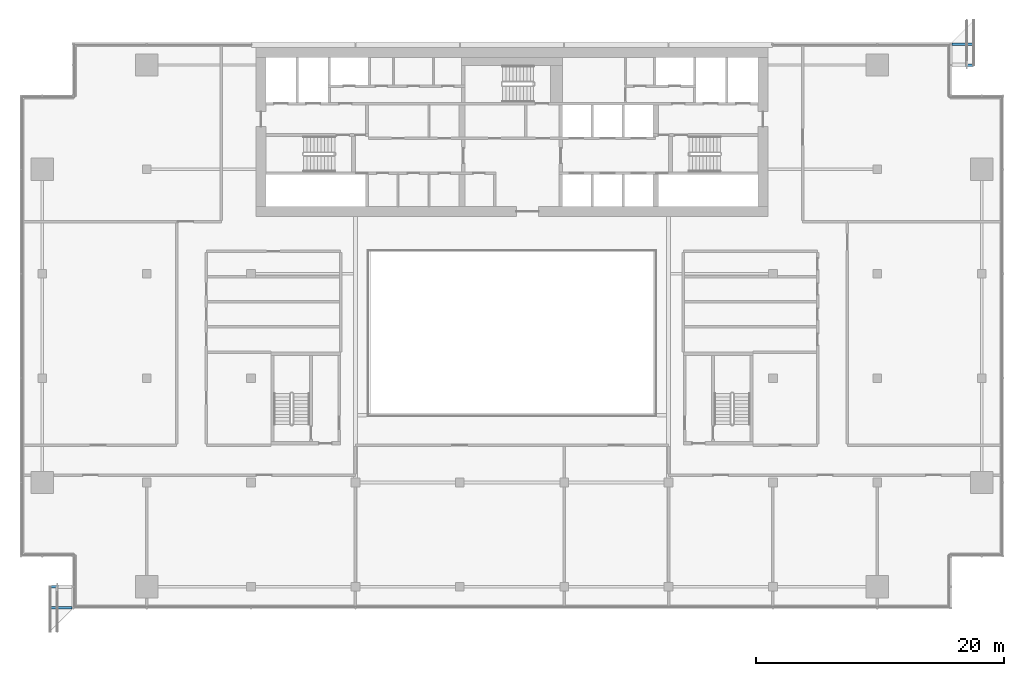
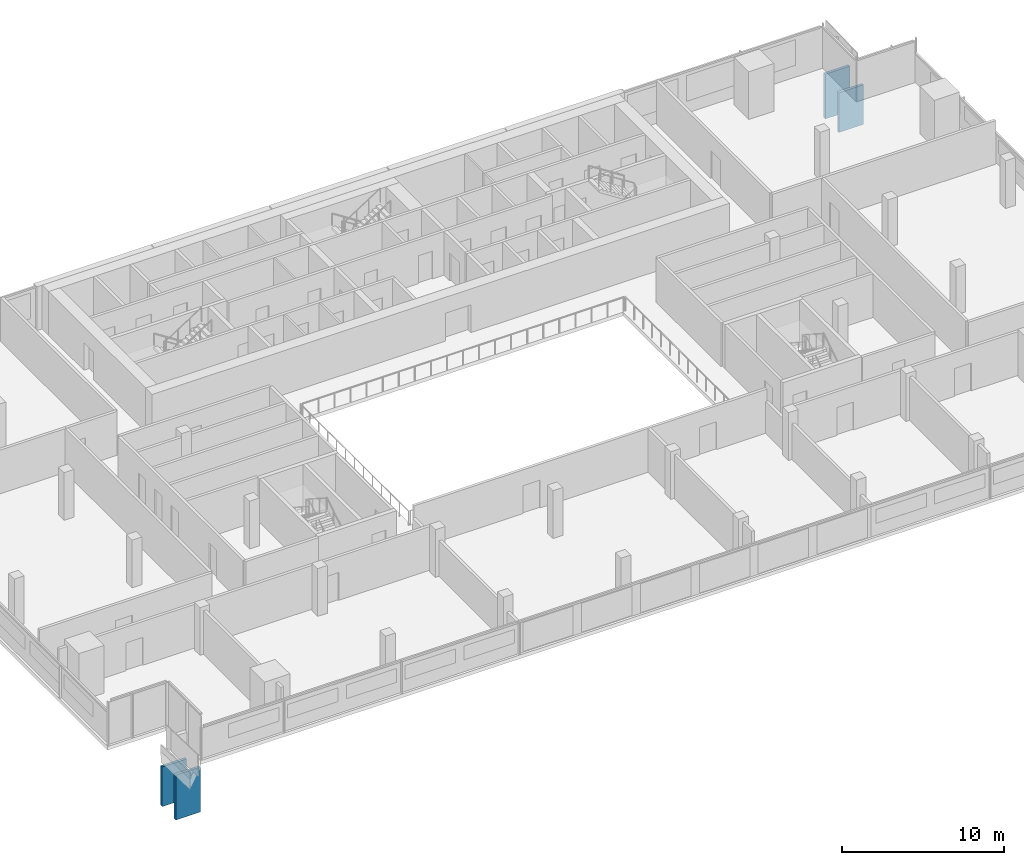
# One storey, part 22 of 24: 4 discrete accessories.
"""IFC4 building model written with IfcOpenShell, lengths in metres."""

from ifc_helpers import new_model, si_unit, direction, frame, origin, origin_2d, place, context, subcontext, project, spatial, rectangle, extrude, element, save


model = new_model("IFC4")

# Units and contexts
model_context = context("Model", 3, precision=1e-05, world=origin(), true_north=direction((0.0, 1.0)))
body_context = subcontext(model_context, "Body", "Model", "MODEL_VIEW")
ifc_project = project(units=[si_unit("LENGTHUNIT", "METRE"), si_unit("AREAUNIT", "SQUARE_METRE"), si_unit("VOLUMEUNIT", "CUBIC_METRE"), si_unit("PLANEANGLEUNIT", "RADIAN"), si_unit("MASSUNIT", "GRAM", prefix="KILO")], contexts=[model_context])

# Site, building, storey
site_placement = place(None, origin())
site = spatial("IfcSite", under=ifc_project, at=site_placement, CompositionType="ELEMENT")
building_placement = place(site_placement, origin())
building = spatial("IfcBuilding", under=site, at=building_placement, Name="Saffron Gate Tower", CompositionType="ELEMENT")
storey_placement = place(building_placement, frame((0.0, 0.0, 190.64990234375)))
storey = spatial("IfcBuildingStorey", under=building, at=storey_placement, Name="L47", CompositionType="ELEMENT", Elevation=190.64990234375)

# Discrete accessories
discrete_accessory_1_placement = place(storey_placement, frame((51.324951171875, 31.800048828125, -3.8798828125), z_axis=(0.0, 0.0, 1.0), x_axis=(0.0, -1.0, 0.0)))
element("IfcDiscreteAccessory", 1, at=discrete_accessory_1_placement, inside=storey, Name="LEDGE rib", PredefinedType="BRACKET", context=body_context, shape_type="SweptSolid", body=[
    extrude(rectangle(XDim=0.199951171875, YDim=1.75, at=origin_2d()), origin(), (0.0, 0.0, 1.0), 2.986083984375),
])
discrete_accessory_2_placement = place(storey_placement, frame((51.324951171875, 30.1201171875, -3.8798828125), z_axis=(0.0, 0.0, 1.0), x_axis=(0.0, -1.0, 0.0)))
element("IfcDiscreteAccessory", 2, at=discrete_accessory_2_placement, inside=storey, Name="LEDGE rib", PredefinedType="BRACKET", context=body_context, shape_type="SweptSolid", body=[
    extrude(rectangle(XDim=0.199951171875, YDim=1.75, at=origin_2d()), origin(), (0.0, 0.0, 1.0), 3.380859375),
])
discrete_accessory_3_placement = place(storey_placement, frame((123.875, 73.800048828125, -3.8798828125), z_axis=(0.0, 0.0, 1.0), x_axis=(0.0, 1.0, 0.0)))
element("IfcDiscreteAccessory", 3, at=discrete_accessory_3_placement, inside=storey, Name="LEDGE rib", PredefinedType="BRACKET", context=body_context, shape_type="SweptSolid", body=[
    extrude(rectangle(XDim=0.199951171875, YDim=1.75, at=origin_2d()), origin(), (0.0, 0.0, 1.0), 2.986083984375),
])
discrete_accessory_4_placement = place(storey_placement, frame((123.875, 75.47998046875, -3.8798828125), z_axis=(0.0, 0.0, 1.0), x_axis=(0.0, 1.0, 0.0)))
element("IfcDiscreteAccessory", 4, at=discrete_accessory_4_placement, inside=storey, Name="LEDGE rib", PredefinedType="BRACKET", context=body_context, shape_type="SweptSolid", body=[
    extrude(rectangle(XDim=0.199951171875, YDim=1.75, at=origin_2d()), origin(), (0.0, 0.0, 1.0), 3.380859375),
])

save(model, "model.ifc")
